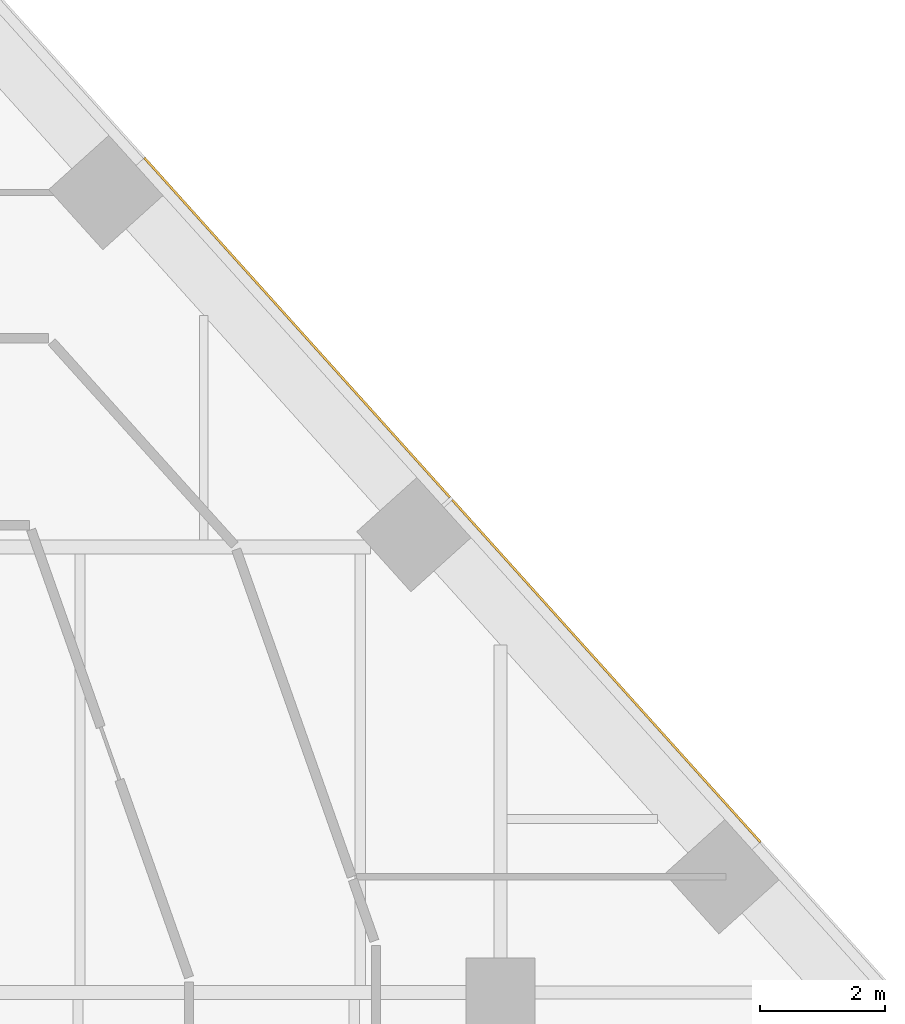
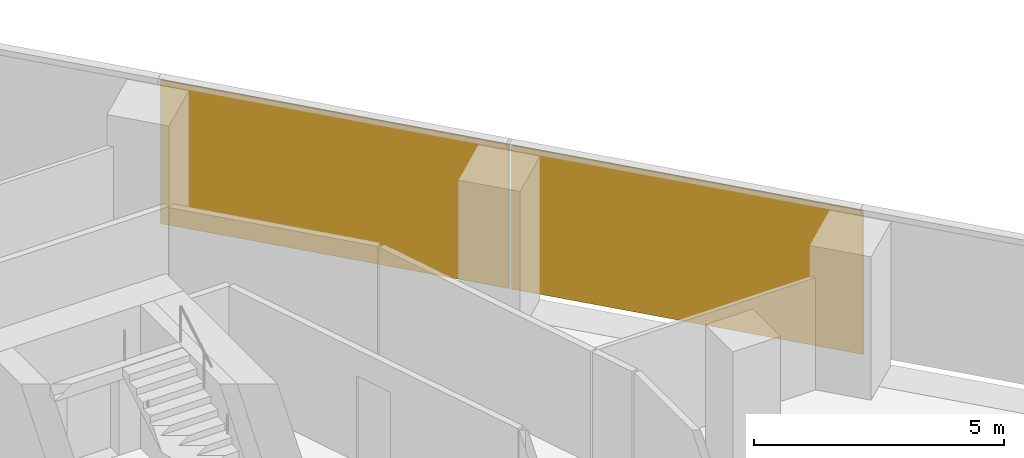
# One storey, part 17 of 17: 2 coverings, 1 element without a shape of its own.
"""IFC4 building model written with IfcOpenShell, lengths in metres."""

from ifc_helpers import new_model, si_unit, direction, frame, origin, origin_2d, place, context, subcontext, project, spatial, rectangle, extrude, material, layer, layer_set, type_object, element, aggregate, save


model = new_model("IFC4")

# Units and contexts
model_context = context("Model", 3, precision=1e-05, world=origin(), true_north=direction((0.0, 1.0)))
body_context = subcontext(model_context, "Body", "Model", "MODEL_VIEW")
ifc_project = project(units=[si_unit("LENGTHUNIT", "METRE"), si_unit("AREAUNIT", "SQUARE_METRE"), si_unit("VOLUMEUNIT", "CUBIC_METRE"), si_unit("PLANEANGLEUNIT", "RADIAN"), si_unit("MASSUNIT", "GRAM", prefix="KILO")], contexts=[model_context])

# Site, building, storey
site_placement = place(None, origin())
site = spatial("IfcSite", under=ifc_project, at=site_placement, CompositionType="ELEMENT")
building_placement = place(site_placement, origin())
building = spatial("IfcBuilding", under=site, at=building_placement, Name="Isthmus Gate Tower", CompositionType="ELEMENT")
storey_placement = place(building_placement, frame((0.0, 0.0, 181.75)))
storey = spatial("IfcBuildingStorey", under=building, at=storey_placement, Name="L45", CompositionType="ELEMENT", Elevation=181.75)

# Curtain wall, coverings
ifc_material_1 = material(Name="Aluminium, pale champagne anodised", Category="aluminium")
ifc_layer_1 = layer(ifc_material_1, 0.199951171875)
ifc_layer_set_1 = layer_set([ifc_layer_1], Name="CW-1 UNITISED CURTAIN WALL 200 DEEP")
curtain_wall_type = type_object("IfcCurtainWallType", Name="CW-1 UNITISED CURTAIN WALL 200 DEEP", PredefinedType="NOTDEFINED", material=ifc_layer_set_1)
curtain_wall_placement = place(storey_placement, origin())
curtain_wall = element("IfcCurtainWall", 1, at=curtain_wall_placement, inside=storey, type_object=curtain_wall_type, Name="CW-1 NE L45", PredefinedType="NOTDEFINED")
ifc_material_2 = material(Name="Aluminium composite panel, pale champagne anodised", Category="aluminium")
ifc_layer_2 = layer(ifc_material_2, 0.035888671875)
ifc_layer_set_2 = layer_set([ifc_layer_2], Name="CW-1 PALE METAL PANEL 36")
covering_type = type_object("IfcCoveringType", Name="CW-1 PALE METAL PANEL 36", PredefinedType="CLADDING", material=ifc_layer_set_2)
covering_1_placement = place(storey_placement, frame((25.70068359375, 12.659423828125, 0.0), z_axis=(0.0, 0.0, 1.0), x_axis=(-0.669130606359, 0.743144825477, 0.0)))
covering_1 = element("IfcCovering", 2, at=covering_1_placement, type_object=covering_type, Name="CW-1 pale metal panel", PredefinedType="CLADDING", context=body_context, shape_type="SweptSolid", body=[
    extrude(rectangle(XDim=7.390869140625, YDim=0.035888671875, at=origin_2d()), origin(), (0.0, 0.0, 1.0), 3.510009765625),
])
covering_2_placement = place(storey_placement, frame((20.735107421875, 18.17431640625, 0.0), z_axis=(0.0, 0.0, 1.0), x_axis=(-0.669130606359, 0.743144825477, 0.0)))
covering_2 = element("IfcCovering", 3, at=covering_2_placement, type_object=covering_type, Name="CW-1 pale metal panel", PredefinedType="CLADDING", context=body_context, shape_type="SweptSolid", body=[
    extrude(rectangle(XDim=7.330810546875, YDim=0.035888671875, at=origin_2d()), origin(), (0.0, 0.0, 1.0), 3.510009765625),
])
aggregate(curtain_wall, [covering_1, covering_2])

save(model, "model.ifc")
